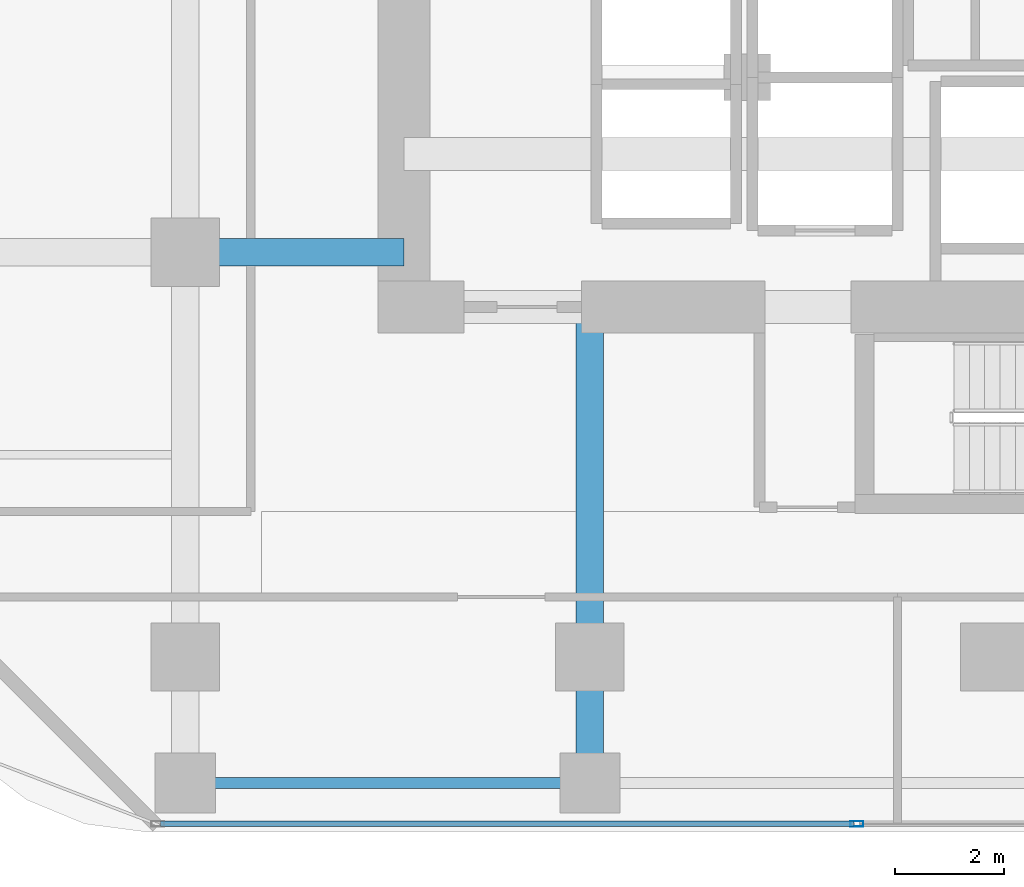
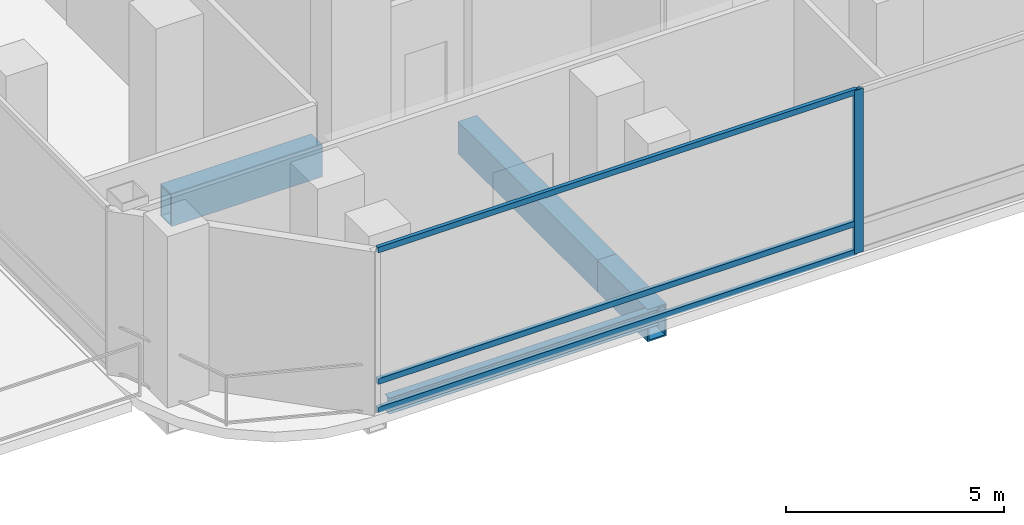
# One storey, part 3 of 28: 4 beams, 4 members, 1 element without a shape of its own.
"""IFC4 building model written with IfcOpenShell, lengths in metres."""

from ifc_helpers import new_model, si_unit, direction, frame, origin, origin_2d, place, context, subcontext, project, spatial, hollow_rectangle, i_section, extrude, material, layer, layer_set, material_profile, profile_set, type_object, element, aggregate, save


model = new_model("IFC4")

# Units and contexts
model_context = context("Model", 3, precision=1e-05, world=origin(), true_north=direction((0.0, 1.0)))
body_context = subcontext(model_context, "Body", "Model", "MODEL_VIEW")
ifc_project = project(units=[si_unit("LENGTHUNIT", "METRE"), si_unit("AREAUNIT", "SQUARE_METRE"), si_unit("VOLUMEUNIT", "CUBIC_METRE"), si_unit("PLANEANGLEUNIT", "RADIAN"), si_unit("MASSUNIT", "GRAM", prefix="KILO")], contexts=[model_context])

# Site, building, storey
site_placement = place(None, origin())
site = spatial("IfcSite", under=ifc_project, at=site_placement, CompositionType="ELEMENT")
building_placement = place(site_placement, origin())
building = spatial("IfcBuilding", under=site, at=building_placement, Name="Khorvyn Point Tower", CompositionType="ELEMENT")
storey_placement = place(building_placement, frame((0.0, 0.0, 108.60009765625)))
storey = spatial("IfcBuildingStorey", under=building, at=storey_placement, Name="L27", CompositionType="ELEMENT", Elevation=108.60009765625)

# Curtain wall, members
ifc_material_1 = material(Name="Anodised aluminium 6063-T6 and laminated Low-E glass", Category="aluminium")
ifc_layer = layer(ifc_material_1, 0.18994140625)
ifc_layer_set = layer_set([ifc_layer], Name="Stick-Built Sky-Lobby Curtain Wall CW-SYS-05")
curtain_wall_type = type_object("IfcCurtainWallType", Name="Stick-Built Sky-Lobby Curtain Wall CW-SYS-05", PredefinedType="NOTDEFINED", material=ifc_layer_set)
curtain_wall_placement = place(storey_placement, origin())
curtain_wall = element("IfcCurtainWall", 1, at=curtain_wall_placement, inside=storey, type_object=curtain_wall_type, Name="Curtain Wall", PredefinedType="NOTDEFINED")
ifc_material_2 = material(Name="Anodised aluminium 6063-T6", Category="aluminium")
ifc_material_profile_1 = material_profile(ifc_material_2, hollow_rectangle(XDim=0.10009765625, YDim=0.239990234375, WallThickness=0.0048828125, at=origin_2d()))
ifc_profile_set_1 = profile_set([ifc_material_profile_1], Name="Anodised aluminium 6063-T6 ALU-MUL-100x240")
member_type_1 = type_object("IfcMemberType", Name="Anodised Aluminium 6063-T6 Mullion ALU-MUL-100x240", PredefinedType="MULLION", material=ifc_profile_set_1)
member_1_placement = place(storey_placement, frame((-2.5166015625, -17.85009765625, 0.0), z_axis=(0.0, 0.0, 1.0), x_axis=(0.0, -1.0, 0.0)))
member_1 = element("IfcMember", 2, at=member_1_placement, type_object=member_type_1, Name="Transom", PredefinedType="MULLION", context=body_context, shape_type="SweptSolid", body=[
    extrude(hollow_rectangle(XDim=0.10009765625, YDim=0.239990234375, WallThickness=0.0048828125, at=origin_2d()), origin(), (0.0, 0.0, 1.0), 4.579833984375),
])
ifc_material_profile_2 = material_profile(ifc_material_2, hollow_rectangle(XDim=0.10009765625, YDim=0.159912109375, WallThickness=0.00439453125, at=origin_2d()))
ifc_profile_set_2 = profile_set([ifc_material_profile_2], Name="Anodised aluminium 6063-T6 ALU-TRN-100x160")
member_type_2 = type_object("IfcMemberType", Name="Anodised Aluminium 6063-T6 Transom ALU-TRN-100x160", PredefinedType="USERDEFINED", material=ifc_profile_set_2)
member_2_placement = place(storey_placement, frame((-2.566650390625, -17.85009765625, 0.0498046875), z_axis=(-1.0, 0.0, 0.0), x_axis=(0.0, -1.0, 0.0)))
member_2 = element("IfcMember", 3, at=member_2_placement, type_object=member_type_2, Name="Transom", ObjectType="TRANSOM", PredefinedType="USERDEFINED", context=body_context, shape_type="SweptSolid", body=[
    extrude(hollow_rectangle(XDim=0.10009765625, YDim=0.159912109375, WallThickness=0.00439453125, at=origin_2d()), origin(), (0.0, 0.0, 1.0), 12.683349609375),
])
member_3_placement = place(storey_placement, frame((-2.566650390625, -17.85009765625, 0.849853515625), z_axis=(-1.0, 0.0, 0.0), x_axis=(0.0, -1.0, 0.0)))
member_3 = element("IfcMember", 4, at=member_3_placement, type_object=member_type_2, Name="Transom", ObjectType="TRANSOM", PredefinedType="USERDEFINED", context=body_context, shape_type="SweptSolid", body=[
    extrude(hollow_rectangle(XDim=0.10009765625, YDim=0.159912109375, WallThickness=0.00439453125, at=origin_2d()), origin(), (0.0, 0.0, 1.0), 12.683349609375),
])
member_4_placement = place(storey_placement, frame((-2.566650390625, -17.85009765625, 4.52978515625), z_axis=(-1.0, 0.0, 0.0), x_axis=(0.0, -1.0, 0.0)))
member_4 = element("IfcMember", 5, at=member_4_placement, type_object=member_type_2, Name="Transom", ObjectType="TRANSOM", PredefinedType="USERDEFINED", context=body_context, shape_type="SweptSolid", body=[
    extrude(hollow_rectangle(XDim=0.10009765625, YDim=0.159912109375, WallThickness=0.00439453125, at=origin_2d()), origin(), (0.0, 0.0, 1.0), 12.683349609375),
])
aggregate(curtain_wall, [member_1, member_2, member_3, member_4])

# Beams
ifc_material_3 = material(Name="Steel S355", Category="steel")
ifc_material_profile_3 = material_profile(ifc_material_3, i_section(OverallWidth=0.199951171875, OverallDepth=0.449951171875, WebThickness=0.009033203125, FlangeThickness=0.013916015625, at=origin_2d()))
ifc_profile_set_3 = profile_set([ifc_material_profile_3], Name="Steel S355 H450x200x9x14")
beam_type_1 = type_object("IfcBeamType", Name="Steel S355 Spandrel H450x200x9x14", PredefinedType="SPANDREL", material=ifc_profile_set_3)
beam_1_placement = place(storey_placement, frame((-14.550048828125, -17.10009765625, -0.505126953125), z_axis=(1.0, 0.0, 0.0), x_axis=(0.0, 1.0, 0.0)))
element("IfcBeam", 6, at=beam_1_placement, inside=storey, type_object=beam_type_1, Name="Beam", PredefinedType="SPANDREL", context=body_context, shape_type="SweptSolid", body=[
    extrude(i_section(OverallWidth=0.199951171875, OverallDepth=0.449951171875, WebThickness=0.009033203125, FlangeThickness=0.013916015625, at=origin_2d()), origin(), (0.0, 0.0, 1.0), 7.150146484375),
])
ifc_material_4 = material(Name="Steel S450", Category="steel")
ifc_material_profile_4 = material_profile(ifc_material_4, hollow_rectangle(XDim=0.5, YDim=0.89990234375, WallThickness=0.0400390625, at=origin_2d()))
ifc_profile_set_4 = profile_set([ifc_material_profile_4], Name="Steel S450 BOX900x500x40")
beam_type_2 = type_object("IfcBeamType", Name="Steel S450 Beam BOX900x500x40", PredefinedType="BEAM", material=ifc_profile_set_4)
beam_2_placement = place(storey_placement, frame((-14.800048828125, -7.39990234375, -0.72998046875), z_axis=(1.0, 0.0, 0.0), x_axis=(0.0, 1.0, 0.0)))
element("IfcBeam", 7, at=beam_2_placement, inside=storey, type_object=beam_type_2, Name="Beam", PredefinedType="BEAM", context=body_context, shape_type="SweptSolid", body=[
    extrude(hollow_rectangle(XDim=0.5, YDim=0.89990234375, WallThickness=0.0400390625, at=origin_2d()), origin(), (0.0, 0.0, 1.0), 4.0),
])
beam_3_placement = place(storey_placement, frame((-7.39990234375, -17.10009765625, -0.72998046875), z_axis=(0.0, 1.0, 0.0), x_axis=(-1.0, 0.0, 0.0)))
element("IfcBeam", 8, at=beam_3_placement, inside=storey, type_object=beam_type_2, Name="Beam", PredefinedType="BEAM", context=body_context, shape_type="SweptSolid", body=[
    extrude(hollow_rectangle(XDim=0.5, YDim=0.89990234375, WallThickness=0.0400390625, at=origin_2d()), origin(), (0.0, 0.0, 1.0), 2.300048828125),
])
beam_4_placement = place(storey_placement, frame((-7.39990234375, -14.800048828125, -0.72998046875), z_axis=(0.0, 1.0, 0.0), x_axis=(-1.0, 0.0, 0.0)))
element("IfcBeam", 9, at=beam_4_placement, inside=storey, type_object=beam_type_2, Name="Beam", PredefinedType="BEAM", context=body_context, shape_type="SweptSolid", body=[
    extrude(hollow_rectangle(XDim=0.5, YDim=0.89990234375, WallThickness=0.0400390625, at=origin_2d()), origin(), (0.0, 0.0, 1.0), 6.400146484375),
])

save(model, "model.ifc")
